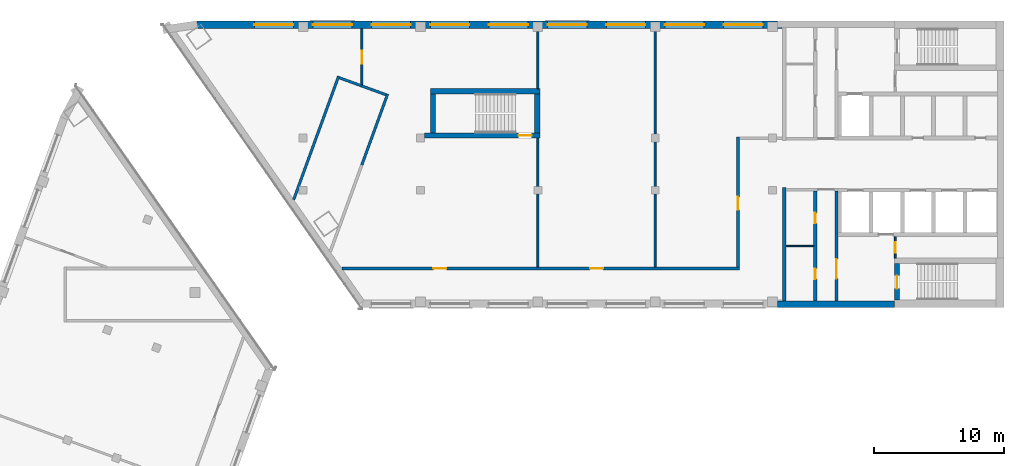
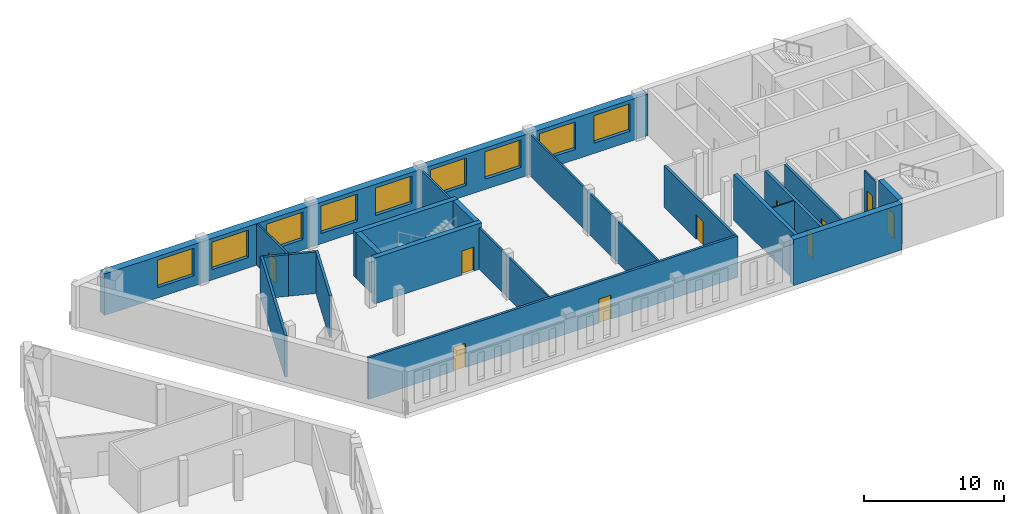
# One storey, part 4 of 7: 22 walls, 10 doors, 9 windows, 19 openings.
"""IFC4 building model written with IfcOpenShell, lengths in metres."""

from ifc_helpers import new_model, si_unit, direction, frame, frame_2d, origin, place, context, subcontext, project, spatial, rectangle, extrude, material, layer, layer_set, type_object, element, fill, save


model = new_model("IFC4")

# Units and contexts
model_context = context("Model", 3, precision=1e-05, world=origin(), true_north=direction((0.0, 1.0)))
body_context = subcontext(model_context, "Body", "Model", "MODEL_VIEW")
ifc_project = project(units=[si_unit("LENGTHUNIT", "METRE"), si_unit("AREAUNIT", "SQUARE_METRE"), si_unit("VOLUMEUNIT", "CUBIC_METRE"), si_unit("PLANEANGLEUNIT", "RADIAN"), si_unit("MASSUNIT", "GRAM", prefix="KILO")], contexts=[model_context])

# Site, building, storey
site_placement = place(None, origin())
site = spatial("IfcSite", under=ifc_project, at=site_placement, CompositionType="ELEMENT")
building_placement = place(site_placement, origin())
building = spatial("IfcBuilding", under=site, at=building_placement, Name="Skarvind Civic Tower", CompositionType="ELEMENT")
storey_placement = place(building_placement, frame((0.0, 0.0, 188.0)))
storey = spatial("IfcBuildingStorey", under=building, at=storey_placement, Name="L44", CompositionType="ELEMENT", Elevation=188.0)

# Wall, opening, door
ifc_material_1 = material(Name="Fire-rated masonry partition", Category="masonry")
ifc_layer_1 = layer(ifc_material_1, 0.199951171875)
ifc_layer_set_1 = layer_set([ifc_layer_1], Name="Core enclosure wall 200")
wall_type_1 = type_object("IfcWallType", Name="Core enclosure wall 200", PredefinedType="PARTITIONING", material=ifc_layer_set_1)
wall_1_placement = place(storey_placement, frame((95.14990234375, 117.5, 0.0), z_axis=(0.0, 0.0, 1.0), x_axis=(0.0, 1.0, 0.0)))
wall_1 = element("IfcWall", 1, at=wall_1_placement, inside=storey, type_object=wall_type_1, Name="Core wall C1", PredefinedType="PARTITIONING", context=body_context, shape_type="SweptSolid", body=[
    extrude(rectangle(XDim=8.449951171875, YDim=0.199951171875, at=frame_2d((4.22509765625, 0.0))), origin(), (0.0, 0.0, 1.0), 3.625),
])
opening_1_placement = place(wall_1_placement, frame((1.72509765625, 0.0, 0.0)))
opening_1 = element("IfcOpeningElement", 2, at=opening_1_placement, cuts=wall_1, Name="Opening D-L44-C1-08", PredefinedType="OPENING", context=body_context, shape_type="SweptSolid", body=[
    extrude(rectangle(XDim=1.5, YDim=2.10009765625, at=frame_2d((0.75, 1.050048828125))), frame((0.0, 0.10986328125, 0.0), z_axis=(0.0, -1.0, 0.0), x_axis=(1.0, 0.0, 0.0)), (0.0, 0.0, 1.0), 0.219970703125),
])
ifc_material_2 = material(Name="Fire-rated steel door", Category="steel")
door_type_1 = type_object("IfcDoorType", Name="Fire door 1500", OperationType="NOTDEFINED", PredefinedType="DOOR", material=ifc_material_2)
door_1_placement = place(opening_1_placement, origin())
door_1 = element("IfcDoor", 3, at=door_1_placement, inside=storey, type_object=door_type_1, Name="Fire door", OperationType="DOUBLE_DOOR_SINGLE_SWING", OverallHeight=2.10009765625, OverallWidth=1.5, PredefinedType="DOOR", context=body_context, shape_type="SweptSolid", body=[
    extrude(rectangle(XDim=1.5, YDim=2.10009765625, at=frame_2d((0.75, 1.050048828125))), frame((0.0, 0.02490234375, 0.0), z_axis=(0.0, -1.0, 0.0), x_axis=(1.0, 0.0, 0.0)), (0.0, 0.0, 1.0), 0.050048828125),
])
fill(opening_1, door_1)

# Walls
ifc_material_3 = material(Name="Fire-rated plasterboard partition")
ifc_layer_2 = layer(ifc_material_3, 0.10009765625)
ifc_layer_set_2 = layer_set([ifc_layer_2], Name="Core partition wall 100")
wall_type_2 = type_object("IfcWallType", Name="Core partition wall 100", PredefinedType="PARTITIONING", material=ifc_layer_set_2)
wall_2_placement = place(storey_placement, frame((93.39990234375, 121.719970703125, 0.0), z_axis=(0.0, 0.0, 1.0), x_axis=(-1.0, 0.0, 0.0)))
element("IfcWall", 4, at=wall_2_placement, inside=storey, type_object=wall_type_2, Name="Core wall C1", PredefinedType="PARTITIONING", context=body_context, shape_type="SweptSolid", body=[
    extrude(rectangle(XDim=2.099853515625, YDim=0.10009765625, at=frame_2d((1.0498046875, 0.0))), origin(), (0.0, 0.0, 1.0), 3.625),
])
ifc_material_4 = material(Name="Concrete C60", Category="concrete")
ifc_layer_3 = layer(ifc_material_4, 0.300048828125)
ifc_layer_set_3 = layer_set([ifc_layer_3], Name="Core wall 300 C60")
wall_type_3 = type_object("IfcWallType", Name="Core wall 300 C60", PredefinedType="SHEAR", material=ifc_layer_set_3)
wall_3_placement = place(storey_placement, frame((91.14990234375, 126.199951171875, 0.0), z_axis=(0.0, 0.0, 1.0), x_axis=(0.0, -1.0, 0.0)))
element("IfcWall", 5, at=wall_3_placement, inside=storey, type_object=wall_type_3, Name="Core wall C1 north inner face L44", PredefinedType="SHEAR", context=body_context, shape_type="SweptSolid", body=[
    extrude(rectangle(XDim=8.699951171875, YDim=0.300048828125, at=frame_2d((4.35009765625, 0.0))), origin(), (0.0, 0.0, 1.0), 4.0),
])

# Wall, opening, door
ifc_layer_4 = layer(ifc_material_4, 0.39990234375)
ifc_layer_set_4 = layer_set([ifc_layer_4], Name="Core wall 400 C60")
wall_type_4 = type_object("IfcWallType", Name="Core wall 400 C60", PredefinedType="SHEAR", material=ifc_layer_set_4)
wall_4_placement = place(storey_placement, frame((99.800048828125, 120.39990234375, 0.0), z_axis=(0.0, 0.0, 1.0), x_axis=(0.0, -1.0, 0.0)))
wall_4 = element("IfcWall", 6, at=wall_4_placement, inside=storey, type_object=wall_type_4, Name="Core wall C1 north stair end L44", PredefinedType="SHEAR", context=body_context, shape_type="SweptSolid", body=[
    extrude(rectangle(XDim=2.7998046875, YDim=0.39990234375, at=frame_2d((1.39990234375, 0.0))), origin(), (0.0, 0.0, 1.0), 4.0),
])
opening_2_placement = place(wall_4_placement, frame((0.949951171875, 0.0, 0.0)))
opening_2 = element("IfcOpeningElement", 7, at=opening_2_placement, cuts=wall_4, Name="Opening D-L44-C1-09", PredefinedType="OPENING", context=body_context, shape_type="SweptSolid", body=[
    extrude(rectangle(XDim=1.0, YDim=2.10009765625, at=frame_2d((0.5, 1.050048828125))), frame((0.0, 0.2099609375, 0.0), z_axis=(0.0, -1.0, 0.0), x_axis=(1.0, 0.0, 0.0)), (0.0, 0.0, 1.0), 0.419921875),
])
door_type_2 = type_object("IfcDoorType", Name="Fire door 1000", OperationType="NOTDEFINED", PredefinedType="DOOR", material=ifc_material_2)
door_2_placement = place(opening_2_placement, origin())
door_2 = element("IfcDoor", 8, at=door_2_placement, inside=storey, type_object=door_type_2, Name="Fire door", OperationType="SINGLE_SWING_LEFT", OverallHeight=2.10009765625, OverallWidth=1.0, PredefinedType="DOOR", context=body_context, shape_type="SweptSolid", body=[
    extrude(rectangle(XDim=1.0, YDim=2.10009765625, at=frame_2d((0.5, 1.050048828125))), frame((0.0, 0.02490234375, 0.0), z_axis=(0.0, -1.0, 0.0), x_axis=(1.0, 0.0, 0.0)), (0.0, 0.0, 1.0), 0.050048828125),
])
fill(opening_2, door_2)

wall_5_placement = place(storey_placement, frame((63.550048828125, 130.199951171875, 0.0), z_axis=(0.0, 0.0, 1.0), x_axis=(1.0, 0.0, 0.0)))
wall_5 = element("IfcWall", 9, at=wall_5_placement, inside=storey, type_object=wall_type_4, Name="Core wall CM inner L44", PredefinedType="SHEAR", context=body_context, shape_type="SweptSolid", body=[
    extrude(rectangle(XDim=8.849853515625, YDim=0.39990234375, at=frame_2d((4.4248046875, 0.0))), origin(), (0.0, 0.0, 1.0), 4.0),
])
opening_3_placement = place(wall_5_placement, frame((7.22509765625, 0.0, 0.0)))
opening_3 = element("IfcOpeningElement", 10, at=opening_3_placement, cuts=wall_5, Name="Opening D-L44-CM-01", PredefinedType="OPENING", context=body_context, shape_type="SweptSolid", body=[
    extrude(rectangle(XDim=1.0, YDim=2.10009765625, at=frame_2d((0.5, 1.050048828125))), frame((0.0, 0.2099609375, 0.0), z_axis=(0.0, -1.0, 0.0), x_axis=(1.0, 0.0, 0.0)), (0.0, 0.0, 1.0), 0.419921875),
])
door_3_placement = place(opening_3_placement, origin())
door_3 = element("IfcDoor", 11, at=door_3_placement, inside=storey, type_object=door_type_2, Name="Fire door", OperationType="SINGLE_SWING_LEFT", OverallHeight=2.10009765625, OverallWidth=1.0, PredefinedType="DOOR", context=body_context, shape_type="SweptSolid", body=[
    extrude(rectangle(XDim=1.0, YDim=2.10009765625, at=frame_2d((0.5, 1.050048828125))), frame((0.0, 0.02490234375, 0.0), z_axis=(0.0, -1.0, 0.0), x_axis=(1.0, 0.0, 0.0)), (0.0, 0.0, 1.0), 0.050048828125),
])
fill(opening_3, door_3)

# Walls
wall_6_placement = place(storey_placement, frame((64.0, 133.60009765625, 0.0), z_axis=(0.0, 0.0, 1.0), x_axis=(1.0, 0.0, 0.0)))
element("IfcWall", 12, at=wall_6_placement, inside=storey, type_object=wall_type_4, Name="Core wall CM outer L44", PredefinedType="SHEAR", context=body_context, shape_type="SweptSolid", body=[
    extrude(rectangle(XDim=8.39990234375, YDim=0.39990234375, at=frame_2d((4.199951171875, 0.0))), origin(), (0.0, 0.0, 1.0), 4.0),
])
for number, where, z_axis, x_axis, name in (
    (13, (64.199951171875, 130.39990234375, 0.0), (0.0, 0.0, 1.0), (0.0, 1.0, 0.0), "Core wall CM west L44"),
    (14, (72.199951171875, 130.39990234375, 0.0), (0.0, 0.0, 1.0), (0.0, 1.0, 0.0), "Core wall CM end L44"),
):
    element("IfcWall", number, at=place(storey_placement, frame(where, z_axis=z_axis, x_axis=x_axis)), inside=storey, type_object=wall_type_4, Name=name, PredefinedType="SHEAR", context=body_context, shape_type="SweptSolid", body=[
        extrude(rectangle(XDim=3.0, YDim=0.39990234375, at=frame_2d((1.5, 0.0))), origin(), (0.0, 0.0, 1.0), 4.0),
    ])
ifc_layer_5 = layer(ifc_material_4, 0.5)
ifc_layer_set_5 = layer_set([ifc_layer_5], Name="Core wall 500 C60")
wall_type_5 = type_object("IfcWallType", Name="Core wall 500 C60", PredefinedType="SHEAR", material=ifc_layer_set_5)
wall_7_placement = place(storey_placement, frame((99.60009765625, 117.25, 0.0), z_axis=(0.0, 0.0, 1.0), x_axis=(-1.0, 0.0, 0.0)))
element("IfcWall", 15, at=wall_7_placement, inside=storey, type_object=wall_type_5, Name="Core wall C1 north side L44", PredefinedType="SHEAR", context=body_context, shape_type="SweptSolid", body=[
    extrude(rectangle(XDim=8.97509765625, YDim=0.5, at=frame_2d((4.487548828125, 0.0))), origin(), (0.0, 0.0, 1.0), 4.0),
])
ifc_material_5 = material(Name="Fire-rated blockwork wall, plastered", Category="masonry")
ifc_layer_6 = layer(ifc_material_5, 0.199951171875)
ifc_layer_set_6 = layer_set([ifc_layer_6], Name="FIRE WALL 200 EI 60")
wall_type_6 = type_object("IfcWallType", Name="FIRE WALL 200 EI 60", PredefinedType="PARTITIONING", material=ifc_layer_set_6)
wall_8_placement = place(storey_placement, frame((53.52294921875, 125.277099609375, 0.0), z_axis=(0.0, 0.0, 1.0), x_axis=(0.341962677516, 0.93971353464, 0.0)))
element("IfcWall", 16, at=wall_8_placement, inside=storey, type_object=wall_type_6, Name="Portal partition L44 010", PredefinedType="PARTITIONING", context=body_context, shape_type="SweptSolid", body=[
    extrude(rectangle(XDim=10.0859375, YDim=0.199951171875, at=frame_2d((5.04296875, 0.0))), origin(), (0.0, 0.0, 1.0), 3.625),
])
wall_9_placement = place(storey_placement, frame((57.031982421875, 134.626953125, 0.0), z_axis=(0.0, 0.0, 1.0), x_axis=(0.939746625666, -0.341871729672, 0.0)))
element("IfcWall", 17, at=wall_9_placement, inside=storey, type_object=wall_type_6, Name="Portal partition L44 012", PredefinedType="PARTITIONING", context=body_context, shape_type="SweptSolid", body=[
    extrude(rectangle(XDim=1.828125, YDim=0.199951171875, at=frame_2d((0.9140625, 0.0))), origin(), (0.0, 0.0, 1.0), 3.625),
])

# Wall, openings, doors
wall_10_placement = place(storey_placement, frame((57.218017578125, 120.0, 0.0), z_axis=(0.0, 0.0, 1.0), x_axis=(1.0, 0.0, 0.0)))
wall_10 = element("IfcWall", 18, at=wall_10_placement, inside=storey, type_object=wall_type_6, Name="Portal partition L44 013", PredefinedType="PARTITIONING", context=body_context, shape_type="SweptSolid", body=[
    extrude(rectangle(XDim=30.48193359375, YDim=0.199951171875, at=frame_2d((15.240966796875, 0.0))), origin(), (0.0, 0.0, 1.0), 3.625),
])
opening_4_placement = place(wall_10_placement, frame((7.01806640625, 0.0, 0.0)))
opening_4 = element("IfcOpeningElement", 19, at=opening_4_placement, cuts=wall_10, Name="Opening L44-D205", PredefinedType="OPENING", context=body_context, shape_type="SweptSolid", body=[
    extrude(rectangle(XDim=1.0, YDim=2.10009765625, at=frame_2d((0.5, 1.050048828125))), frame((0.0, 0.10986328125, 0.0), z_axis=(0.0, -1.0, 0.0), x_axis=(1.0, 0.0, 0.0)), (0.0, 0.0, 1.0), 0.219970703125),
])
opening_5_placement = place(wall_10_placement, frame((19.031982421875, 0.0, 0.0)))
opening_5 = element("IfcOpeningElement", 20, at=opening_5_placement, cuts=wall_10, Name="Opening L44-D206", PredefinedType="OPENING", context=body_context, shape_type="SweptSolid", body=[
    extrude(rectangle(XDim=1.0, YDim=2.10009765625, at=frame_2d((0.5, 1.050048828125))), frame((0.0, 0.10986328125, 0.0), z_axis=(0.0, -1.0, 0.0), x_axis=(1.0, 0.0, 0.0)), (0.0, 0.0, 1.0), 0.219970703125),
])
ifc_material_6 = material(Name="Painted steel fire door leaf", Category="steel")
door_type_3 = type_object("IfcDoorType", Name="FIRE DOOR 1000X2100 STEEL", OperationType="NOTDEFINED", PredefinedType="DOOR", material=ifc_material_6)
door_4_placement = place(opening_4_placement, origin())
door_4 = element("IfcDoor", 21, at=door_4_placement, inside=storey, type_object=door_type_3, Name="FIRE DOOR", OperationType="SINGLE_SWING_LEFT", OverallHeight=2.10009765625, OverallWidth=1.0, PredefinedType="DOOR", context=body_context, shape_type="SweptSolid", body=[
    extrude(rectangle(XDim=1.0, YDim=2.10009765625, at=frame_2d((0.5, 1.050048828125))), frame((0.0, 0.02490234375, 0.0), z_axis=(0.0, -1.0, 0.0), x_axis=(1.0, 0.0, 0.0)), (0.0, 0.0, 1.0), 0.050048828125),
])
fill(opening_4, door_4)
door_5_placement = place(opening_5_placement, origin())
door_5 = element("IfcDoor", 22, at=door_5_placement, inside=storey, type_object=door_type_3, Name="FIRE DOOR", OperationType="SINGLE_SWING_RIGHT", OverallHeight=2.10009765625, OverallWidth=1.0, PredefinedType="DOOR", context=body_context, shape_type="SweptSolid", body=[
    extrude(rectangle(XDim=1.0, YDim=2.10009765625, at=frame_2d((0.5, 1.050048828125))), frame((0.0, 0.02490234375, 0.0), z_axis=(0.0, -1.0, 0.0), x_axis=(1.0, 0.0, 0.0)), (0.0, 0.0, 1.0), 0.050048828125),
])
fill(opening_5, door_5)

# Walls
wall_11_placement = place(storey_placement, frame((58.75, 127.944091796875, 0.0), z_axis=(0.0, 0.0, 1.0), x_axis=(0.342007027005, 0.939697394633, 0.0)))
element("IfcWall", 23, at=wall_11_placement, inside=storey, type_object=wall_type_6, Name="Portal partition L44 014", PredefinedType="PARTITIONING", context=body_context, shape_type="SweptSolid", body=[
    extrude(rectangle(XDim=5.792236328125, YDim=0.199951171875, at=frame_2d((2.89599609375, 0.0))), origin(), (0.0, 0.0, 1.0), 3.625),
])
wall_12_placement = place(storey_placement, frame((58.75, 134.001953125, 0.0), z_axis=(0.0, 0.0, 1.0), x_axis=(0.939594471622, -0.342289685643, 0.0)))
element("IfcWall", 24, at=wall_12_placement, inside=storey, type_object=wall_type_6, Name="Portal partition L44 016", PredefinedType="PARTITIONING", context=body_context, shape_type="SweptSolid", body=[
    extrude(rectangle(XDim=1.97216796875, YDim=0.199951171875, at=frame_2d((0.986083984375, 0.0))), origin(), (0.0, 0.0, 1.0), 3.625),
])

# Wall, opening, door
wall_13_placement = place(storey_placement, frame((87.60009765625, 120.10009765625, 0.0), z_axis=(0.0, 0.0, 1.0), x_axis=(0.0, 1.0, 0.0)))
wall_13 = element("IfcWall", 25, at=wall_13_placement, inside=storey, type_object=wall_type_6, Name="Portal partition L44 020", PredefinedType="PARTITIONING", context=body_context, shape_type="SweptSolid", body=[
    extrude(rectangle(XDim=10.0, YDim=0.199951171875, at=frame_2d((5.0, 0.0))), origin(), (0.0, 0.0, 1.0), 3.625),
])
opening_6_placement = place(wall_13_placement, frame((4.39990234375, 0.0, 0.0)))
opening_6 = element("IfcOpeningElement", 26, at=opening_6_placement, cuts=wall_13, Name="Opening L44-D207", PredefinedType="OPENING", context=body_context, shape_type="SweptSolid", body=[
    extrude(rectangle(XDim=1.0, YDim=2.10009765625, at=frame_2d((0.5, 1.050048828125))), frame((0.0, 0.10986328125, 0.0), z_axis=(0.0, -1.0, 0.0), x_axis=(1.0, 0.0, 0.0)), (0.0, 0.0, 1.0), 0.219970703125),
])
door_6_placement = place(opening_6_placement, origin())
door_6 = element("IfcDoor", 27, at=door_6_placement, inside=storey, type_object=door_type_3, Name="FIRE DOOR", OperationType="SINGLE_SWING_LEFT", OverallHeight=2.10009765625, OverallWidth=1.0, PredefinedType="DOOR", context=body_context, shape_type="SweptSolid", body=[
    extrude(rectangle(XDim=1.0, YDim=2.10009765625, at=frame_2d((0.5, 1.050048828125))), frame((0.0, 0.02490234375, 0.0), z_axis=(0.0, -1.0, 0.0), x_axis=(1.0, 0.0, 0.0)), (0.0, 0.0, 1.0), 0.050048828125),
])
fill(opening_6, door_6)

ifc_material_7 = material(Name="Plasterboard partition on steel studs", Category="steel")
ifc_layer_7 = layer(ifc_material_7, 0.14990234375)
ifc_layer_set_7 = layer_set([ifc_layer_7], Name="PARTITION 150")
wall_type_7 = type_object("IfcWallType", Name="PARTITION 150", PredefinedType="PARTITIONING", material=ifc_layer_set_7)
wall_14_placement = place(storey_placement, frame((58.75, 138.39990234375, 0.0), z_axis=(0.0, 0.0, 1.0), x_axis=(0.0, -1.0, 0.0)))
wall_14 = element("IfcWall", 28, at=wall_14_placement, inside=storey, type_object=wall_type_7, Name="Portal partition L44 015", PredefinedType="PARTITIONING", context=body_context, shape_type="SweptSolid", body=[
    extrude(rectangle(XDim=4.2919921875, YDim=0.14990234375, at=frame_2d((2.14599609375, 0.0))), origin(), (0.0, 0.0, 1.0), 3.625),
])
opening_7_placement = place(wall_14_placement, frame((1.698974609375, 0.0, 0.0)))
opening_7 = element("IfcOpeningElement", 29, at=opening_7_placement, cuts=wall_14, Name="Opening L44-D204", PredefinedType="OPENING", context=body_context, shape_type="SweptSolid", body=[
    extrude(rectangle(XDim=1.0, YDim=2.10009765625, at=frame_2d((0.5, 1.050048828125))), frame((0.0, 0.0849609375, 0.0), z_axis=(0.0, -1.0, 0.0), x_axis=(1.0, 0.0, 0.0)), (0.0, 0.0, 1.0), 0.169921875),
])
ifc_material_8 = material(Name="Timber veneer door leaf", Category="wood")
door_type_4 = type_object("IfcDoorType", Name="DOOR 1000X2100 TIMBER", OperationType="NOTDEFINED", PredefinedType="DOOR", material=ifc_material_8)
door_7_placement = place(opening_7_placement, origin())
door_7 = element("IfcDoor", 30, at=door_7_placement, inside=storey, type_object=door_type_4, Name="DOOR DOOR", OperationType="SINGLE_SWING_RIGHT", OverallHeight=2.10009765625, OverallWidth=1.0, PredefinedType="DOOR", context=body_context, shape_type="SweptSolid", body=[
    extrude(rectangle(XDim=1.0, YDim=2.10009765625, at=frame_2d((0.5, 1.050048828125))), frame((0.0, 0.02490234375, 0.0), z_axis=(0.0, -1.0, 0.0), x_axis=(1.0, 0.0, 0.0)), (0.0, 0.0, 1.0), 0.050048828125),
])
fill(opening_7, door_7)

# Walls
wall_15_placement = place(storey_placement, frame((72.25, 120.10009765625, 0.0), z_axis=(0.0, 0.0, 1.0), x_axis=(0.0, 1.0, 0.0)))
element("IfcWall", 31, at=wall_15_placement, inside=storey, type_object=wall_type_7, Name="Portal partition L44 017", PredefinedType="PARTITIONING", context=body_context, shape_type="SweptSolid", body=[
    extrude(rectangle(XDim=9.89990234375, YDim=0.14990234375, at=frame_2d((4.949951171875, 0.0))), origin(), (0.0, 0.0, 1.0), 3.625),
])
wall_16_placement = place(storey_placement, frame((72.25, 133.800048828125, 0.0), z_axis=(0.0, 0.0, 1.0), x_axis=(0.0, 1.0, 0.0)))
element("IfcWall", 32, at=wall_16_placement, inside=storey, type_object=wall_type_7, Name="Portal partition L44 018", PredefinedType="PARTITIONING", context=body_context, shape_type="SweptSolid", body=[
    extrude(rectangle(XDim=4.599853515625, YDim=0.14990234375, at=frame_2d((2.2998046875, 0.0))), origin(), (0.0, 0.0, 1.0), 3.625),
])
wall_17_placement = place(storey_placement, frame((81.25, 120.10009765625, 0.0), z_axis=(0.0, 0.0, 1.0), x_axis=(0.0, 1.0, 0.0)))
element("IfcWall", 33, at=wall_17_placement, inside=storey, type_object=wall_type_7, Name="Portal partition L44 019", PredefinedType="PARTITIONING", context=body_context, shape_type="SweptSolid", body=[
    extrude(rectangle(XDim=18.2998046875, YDim=0.14990234375, at=frame_2d((9.14990234375, 0.0))), origin(), (0.0, 0.0, 1.0), 3.625),
])

# Wall, opening, door
ifc_layer_8 = layer(ifc_material_1, 0.125)
ifc_layer_set_8 = layer_set([ifc_layer_8], Name="Riser wall 125")
wall_type_8 = type_object("IfcWallType", Name="Riser wall 125", PredefinedType="PARTITIONING", material=ifc_layer_set_8)
wall_18_placement = place(storey_placement, frame((99.66259765625, 120.800048828125, 0.0), z_axis=(0.0, 0.0, 1.0), x_axis=(0.0, 1.0, 0.0)))
wall_18 = element("IfcWall", 34, at=wall_18_placement, inside=storey, type_object=wall_type_8, Name="Core wall C1", PredefinedType="PARTITIONING", context=body_context, shape_type="SweptSolid", body=[
    extrude(rectangle(XDim=1.64990234375, YDim=0.125, at=frame_2d((0.824951171875, 0.0))), origin(), (0.0, 0.0, 1.0), 3.625),
])
opening_8_placement = place(wall_18_placement, frame((0.425048828125, 0.0, 0.0)))
opening_8 = element("IfcOpeningElement", 35, at=opening_8_placement, cuts=wall_18, Name="Opening D-L44-C1-10", PredefinedType="OPENING", context=body_context, shape_type="SweptSolid", body=[
    extrude(rectangle(XDim=0.800048828125, YDim=2.10009765625, at=frame_2d((0.39990234375, 1.050048828125))), frame((0.0, 0.072509765625, 0.0), z_axis=(0.0, -1.0, 0.0), x_axis=(1.0, 0.0, 0.0)), (0.0, 0.0, 1.0), 0.14501953125),
])
door_type_5 = type_object("IfcDoorType", Name="Core riser door 800", OperationType="NOTDEFINED", PredefinedType="DOOR", material=ifc_material_2)
door_8_placement = place(opening_8_placement, origin())
door_8 = element("IfcDoor", 36, at=door_8_placement, inside=storey, type_object=door_type_5, Name="Riser door", OperationType="SINGLE_SWING_RIGHT", OverallHeight=2.10009765625, OverallWidth=0.800048828125, PredefinedType="DOOR", context=body_context, shape_type="SweptSolid", body=[
    extrude(rectangle(XDim=0.800048828125, YDim=2.10009765625, at=frame_2d((0.39990234375, 1.050048828125))), frame((0.0, 0.02490234375, 0.0), z_axis=(0.0, -1.0, 0.0), x_axis=(1.0, 0.0, 0.0)), (0.0, 0.0, 1.0), 0.050048828125),
])
fill(opening_8, door_8)

# Wall, openings, doors
ifc_layer_9 = layer(ifc_material_1, 0.25)
ifc_layer_set_9 = layer_set([ifc_layer_9], Name="Service block wall 250")
wall_type_9 = type_object("IfcWallType", Name="Service block wall 250", PredefinedType="PARTITIONING", material=ifc_layer_set_9)
wall_19_placement = place(storey_placement, frame((93.52490234375, 117.5, 0.0), z_axis=(0.0, 0.0, 1.0), x_axis=(0.0, 1.0, 0.0)))
wall_19 = element("IfcWall", 37, at=wall_19_placement, inside=storey, type_object=wall_type_9, Name="Core wall C1", PredefinedType="PARTITIONING", context=body_context, shape_type="SweptSolid", body=[
    extrude(rectangle(XDim=8.449951171875, YDim=0.25, at=frame_2d((4.22509765625, 0.0))), origin(), (0.0, 0.0, 1.0), 3.625),
])
opening_9_placement = place(wall_19_placement, frame((5.9599609375, 0.0, 0.0)))
opening_9 = element("IfcOpeningElement", 38, at=opening_9_placement, cuts=wall_19, Name="Opening D-L44-C1-11", PredefinedType="OPENING", context=body_context, shape_type="SweptSolid", body=[
    extrude(rectangle(XDim=0.800048828125, YDim=2.10009765625, at=frame_2d((0.39990234375, 1.050048828125))), frame((0.0, 0.135009765625, 0.0), z_axis=(0.0, -1.0, 0.0), x_axis=(1.0, 0.0, 0.0)), (0.0, 0.0, 1.0), 0.27001953125),
])
opening_10_placement = place(wall_19_placement, frame((1.68505859375, 0.0, 0.0)))
opening_10 = element("IfcOpeningElement", 39, at=opening_10_placement, cuts=wall_19, Name="Opening D-L44-C1-12", PredefinedType="OPENING", context=body_context, shape_type="SweptSolid", body=[
    extrude(rectangle(XDim=0.800048828125, YDim=2.10009765625, at=frame_2d((0.39990234375, 1.050048828125))), frame((0.0, 0.135009765625, 0.0), z_axis=(0.0, -1.0, 0.0), x_axis=(1.0, 0.0, 0.0)), (0.0, 0.0, 1.0), 0.27001953125),
])
door_9_placement = place(opening_9_placement, origin())
door_9 = element("IfcDoor", 40, at=door_9_placement, inside=storey, type_object=door_type_5, Name="Riser door", OperationType="SINGLE_SWING_LEFT", OverallHeight=2.10009765625, OverallWidth=0.800048828125, PredefinedType="DOOR", context=body_context, shape_type="SweptSolid", body=[
    extrude(rectangle(XDim=0.800048828125, YDim=2.10009765625, at=frame_2d((0.39990234375, 1.050048828125))), frame((0.0, 0.02490234375, 0.0), z_axis=(0.0, -1.0, 0.0), x_axis=(1.0, 0.0, 0.0)), (0.0, 0.0, 1.0), 0.050048828125),
])
fill(opening_9, door_9)
door_10_placement = place(opening_10_placement, origin())
door_10 = element("IfcDoor", 41, at=door_10_placement, inside=storey, type_object=door_type_5, Name="Riser door", OperationType="SINGLE_SWING_RIGHT", OverallHeight=2.10009765625, OverallWidth=0.800048828125, PredefinedType="DOOR", context=body_context, shape_type="SweptSolid", body=[
    extrude(rectangle(XDim=0.800048828125, YDim=2.10009765625, at=frame_2d((0.39990234375, 1.050048828125))), frame((0.0, 0.02490234375, 0.0), z_axis=(0.0, -1.0, 0.0), x_axis=(1.0, 0.0, 0.0)), (0.0, 0.0, 1.0), 0.050048828125),
])
fill(opening_10, door_10)

# Wall, openings, windows
ifc_material_9 = material(Name="Limestone masonry cladding on insulated backing", Category="masonry")
ifc_layer_10 = layer(ifc_material_9, 0.60009765625)
ifc_layer_set_10 = layer_set([ifc_layer_10], Name="WX1 STONE FACADE WALL 600")
wall_type_10 = type_object("IfcWallType", Name="WX1 STONE FACADE WALL 600", PredefinedType="SOLIDWALL", material=ifc_layer_set_10)
wall_20_placement = place(storey_placement, frame((46.095458984375, 138.699951171875, 0.0), z_axis=(0.0, 0.0, 1.0), x_axis=(1.0, 0.0, 0.0)))
wall_20 = element("IfcWall", 42, at=wall_20_placement, inside=storey, type_object=wall_type_10, Name="STONE FACADE WALL", PredefinedType="SOLIDWALL", context=body_context, shape_type="SweptSolid", body=[
    extrude(rectangle(XDim=44.884521484375, YDim=0.60009765625, at=frame_2d((22.4423828125, 0.0))), origin(), (0.0, 0.0, 1.0), 3.625),
])
opening_11_placement = place(wall_20_placement, frame((4.404541015625, 0.0, 0.89990234375)))
opening_11 = element("IfcOpeningElement", 43, at=opening_11_placement, cuts=wall_20, Name="Opening WN1", PredefinedType="OPENING", context=body_context, shape_type="SweptSolid", body=[
    extrude(rectangle(XDim=3.0, YDim=2.39990234375, at=frame_2d((1.5, 1.199951171875))), frame((0.0, 0.31005859375, 0.0), z_axis=(0.0, -1.0, 0.0), x_axis=(1.0, 0.0, 0.0)), (0.0, 0.0, 1.0), 0.6201171875),
])
opening_12_placement = place(wall_20_placement, frame((8.904541015625, 0.0, 0.89990234375)))
opening_12 = element("IfcOpeningElement", 44, at=opening_12_placement, cuts=wall_20, Name="Opening WN1", PredefinedType="OPENING", context=body_context, shape_type="SweptSolid", body=[
    extrude(rectangle(XDim=3.0, YDim=2.39990234375, at=frame_2d((1.5, 1.199951171875))), frame((0.0, 0.31005859375, 0.0), z_axis=(0.0, -1.0, 0.0), x_axis=(1.0, 0.0, 0.0)), (0.0, 0.0, 1.0), 0.6201171875),
])
opening_13_placement = place(wall_20_placement, frame((13.404541015625, 0.0, 0.89990234375)))
opening_13 = element("IfcOpeningElement", 45, at=opening_13_placement, cuts=wall_20, Name="Opening WN1", PredefinedType="OPENING", context=body_context, shape_type="SweptSolid", body=[
    extrude(rectangle(XDim=3.0, YDim=2.39990234375, at=frame_2d((1.5, 1.199951171875))), frame((0.0, 0.31005859375, 0.0), z_axis=(0.0, -1.0, 0.0), x_axis=(1.0, 0.0, 0.0)), (0.0, 0.0, 1.0), 0.6201171875),
])
opening_14_placement = place(wall_20_placement, frame((17.904541015625, 0.0, 0.89990234375)))
opening_14 = element("IfcOpeningElement", 46, at=opening_14_placement, cuts=wall_20, Name="Opening WN1", PredefinedType="OPENING", context=body_context, shape_type="SweptSolid", body=[
    extrude(rectangle(XDim=3.0, YDim=2.39990234375, at=frame_2d((1.5, 1.199951171875))), frame((0.0, 0.31005859375, 0.0), z_axis=(0.0, -1.0, 0.0), x_axis=(1.0, 0.0, 0.0)), (0.0, 0.0, 1.0), 0.6201171875),
])
opening_15_placement = place(wall_20_placement, frame((22.404541015625, 0.0, 0.89990234375)))
opening_15 = element("IfcOpeningElement", 47, at=opening_15_placement, cuts=wall_20, Name="Opening WN1", PredefinedType="OPENING", context=body_context, shape_type="SweptSolid", body=[
    extrude(rectangle(XDim=3.0, YDim=2.39990234375, at=frame_2d((1.5, 1.199951171875))), frame((0.0, 0.31005859375, 0.0), z_axis=(0.0, -1.0, 0.0), x_axis=(1.0, 0.0, 0.0)), (0.0, 0.0, 1.0), 0.6201171875),
])
opening_16_placement = place(wall_20_placement, frame((26.904541015625, 0.0, 0.89990234375)))
opening_16 = element("IfcOpeningElement", 48, at=opening_16_placement, cuts=wall_20, Name="Opening WN1", PredefinedType="OPENING", context=body_context, shape_type="SweptSolid", body=[
    extrude(rectangle(XDim=3.0, YDim=2.39990234375, at=frame_2d((1.5, 1.199951171875))), frame((0.0, 0.31005859375, 0.0), z_axis=(0.0, -1.0, 0.0), x_axis=(1.0, 0.0, 0.0)), (0.0, 0.0, 1.0), 0.6201171875),
])
opening_17_placement = place(wall_20_placement, frame((31.404541015625, 0.0, 0.89990234375)))
opening_17 = element("IfcOpeningElement", 49, at=opening_17_placement, cuts=wall_20, Name="Opening WN1", PredefinedType="OPENING", context=body_context, shape_type="SweptSolid", body=[
    extrude(rectangle(XDim=3.0, YDim=2.39990234375, at=frame_2d((1.5, 1.199951171875))), frame((0.0, 0.31005859375, 0.0), z_axis=(0.0, -1.0, 0.0), x_axis=(1.0, 0.0, 0.0)), (0.0, 0.0, 1.0), 0.6201171875),
])
opening_18_placement = place(wall_20_placement, frame((35.904541015625, 0.0, 0.89990234375)))
opening_18 = element("IfcOpeningElement", 50, at=opening_18_placement, cuts=wall_20, Name="Opening WN1", PredefinedType="OPENING", context=body_context, shape_type="SweptSolid", body=[
    extrude(rectangle(XDim=3.0, YDim=2.39990234375, at=frame_2d((1.5, 1.199951171875))), frame((0.0, 0.31005859375, 0.0), z_axis=(0.0, -1.0, 0.0), x_axis=(1.0, 0.0, 0.0)), (0.0, 0.0, 1.0), 0.6201171875),
])
opening_19_placement = place(wall_20_placement, frame((40.404541015625, 0.0, 0.89990234375)))
opening_19 = element("IfcOpeningElement", 51, at=opening_19_placement, cuts=wall_20, Name="Opening WN1", PredefinedType="OPENING", context=body_context, shape_type="SweptSolid", body=[
    extrude(rectangle(XDim=3.0, YDim=2.39990234375, at=frame_2d((1.5, 1.199951171875))), frame((0.0, 0.31005859375, 0.0), z_axis=(0.0, -1.0, 0.0), x_axis=(1.0, 0.0, 0.0)), (0.0, 0.0, 1.0), 0.6201171875),
])
ifc_material_10 = material(Name="Timber frame, double glazing, timber-lined reveal", Category="wood")
window_type = type_object("IfcWindowType", Name="WN1 PUNCHED STONE WINDOW 3000 x 2400", PartitioningType="SINGLE_PANEL", PredefinedType="WINDOW", material=ifc_material_10)
window_1_placement = place(opening_11_placement, origin())
window_1 = element("IfcWindow", 52, at=window_1_placement, inside=storey, type_object=window_type, Name="WN1 WINDOW", OverallHeight=2.39990234375, OverallWidth=3.0, PartitioningType="SINGLE_PANEL", PredefinedType="WINDOW", context=body_context, shape_type="SweptSolid", body=[
    extrude(rectangle(XDim=3.0, YDim=2.39990234375, at=frame_2d((1.5, 1.199951171875))), frame((0.0, 0.030029296875, 0.0), z_axis=(0.0, -1.0, 0.0), x_axis=(1.0, 0.0, 0.0)), (0.0, 0.0, 1.0), 0.06005859375),
])
fill(opening_11, window_1)
window_2_placement = place(opening_12_placement, origin())
window_2 = element("IfcWindow", 53, at=window_2_placement, inside=storey, type_object=window_type, Name="WN1 WINDOW", OverallHeight=2.39990234375, OverallWidth=3.0, PartitioningType="SINGLE_PANEL", PredefinedType="WINDOW", context=body_context, shape_type="SweptSolid", body=[
    extrude(rectangle(XDim=3.0, YDim=2.39990234375, at=frame_2d((1.5, 1.199951171875))), frame((0.0, 0.030029296875, 0.0), z_axis=(0.0, -1.0, 0.0), x_axis=(1.0, 0.0, 0.0)), (0.0, 0.0, 1.0), 0.06005859375),
])
fill(opening_12, window_2)
window_3_placement = place(opening_13_placement, origin())
window_3 = element("IfcWindow", 54, at=window_3_placement, inside=storey, type_object=window_type, Name="WN1 WINDOW", OverallHeight=2.39990234375, OverallWidth=3.0, PartitioningType="SINGLE_PANEL", PredefinedType="WINDOW", context=body_context, shape_type="SweptSolid", body=[
    extrude(rectangle(XDim=3.0, YDim=2.39990234375, at=frame_2d((1.5, 1.199951171875))), frame((0.0, 0.030029296875, 0.0), z_axis=(0.0, -1.0, 0.0), x_axis=(1.0, 0.0, 0.0)), (0.0, 0.0, 1.0), 0.06005859375),
])
fill(opening_13, window_3)
window_4_placement = place(opening_14_placement, origin())
window_4 = element("IfcWindow", 55, at=window_4_placement, inside=storey, type_object=window_type, Name="WN1 WINDOW", OverallHeight=2.39990234375, OverallWidth=3.0, PartitioningType="SINGLE_PANEL", PredefinedType="WINDOW", context=body_context, shape_type="SweptSolid", body=[
    extrude(rectangle(XDim=3.0, YDim=2.39990234375, at=frame_2d((1.5, 1.199951171875))), frame((0.0, 0.030029296875, 0.0), z_axis=(0.0, -1.0, 0.0), x_axis=(1.0, 0.0, 0.0)), (0.0, 0.0, 1.0), 0.06005859375),
])
fill(opening_14, window_4)
window_5_placement = place(opening_15_placement, origin())
window_5 = element("IfcWindow", 56, at=window_5_placement, inside=storey, type_object=window_type, Name="WN1 WINDOW", OverallHeight=2.39990234375, OverallWidth=3.0, PartitioningType="SINGLE_PANEL", PredefinedType="WINDOW", context=body_context, shape_type="SweptSolid", body=[
    extrude(rectangle(XDim=3.0, YDim=2.39990234375, at=frame_2d((1.5, 1.199951171875))), frame((0.0, 0.030029296875, 0.0), z_axis=(0.0, -1.0, 0.0), x_axis=(1.0, 0.0, 0.0)), (0.0, 0.0, 1.0), 0.06005859375),
])
fill(opening_15, window_5)
window_6_placement = place(opening_16_placement, origin())
window_6 = element("IfcWindow", 57, at=window_6_placement, inside=storey, type_object=window_type, Name="WN1 WINDOW", OverallHeight=2.39990234375, OverallWidth=3.0, PartitioningType="SINGLE_PANEL", PredefinedType="WINDOW", context=body_context, shape_type="SweptSolid", body=[
    extrude(rectangle(XDim=3.0, YDim=2.39990234375, at=frame_2d((1.5, 1.199951171875))), frame((0.0, 0.030029296875, 0.0), z_axis=(0.0, -1.0, 0.0), x_axis=(1.0, 0.0, 0.0)), (0.0, 0.0, 1.0), 0.06005859375),
])
fill(opening_16, window_6)
window_7_placement = place(opening_17_placement, origin())
window_7 = element("IfcWindow", 58, at=window_7_placement, inside=storey, type_object=window_type, Name="WN1 WINDOW", OverallHeight=2.39990234375, OverallWidth=3.0, PartitioningType="SINGLE_PANEL", PredefinedType="WINDOW", context=body_context, shape_type="SweptSolid", body=[
    extrude(rectangle(XDim=3.0, YDim=2.39990234375, at=frame_2d((1.5, 1.199951171875))), frame((0.0, 0.030029296875, 0.0), z_axis=(0.0, -1.0, 0.0), x_axis=(1.0, 0.0, 0.0)), (0.0, 0.0, 1.0), 0.06005859375),
])
fill(opening_17, window_7)
window_8_placement = place(opening_18_placement, origin())
window_8 = element("IfcWindow", 59, at=window_8_placement, inside=storey, type_object=window_type, Name="WN1 WINDOW", OverallHeight=2.39990234375, OverallWidth=3.0, PartitioningType="SINGLE_PANEL", PredefinedType="WINDOW", context=body_context, shape_type="SweptSolid", body=[
    extrude(rectangle(XDim=3.0, YDim=2.39990234375, at=frame_2d((1.5, 1.199951171875))), frame((0.0, 0.030029296875, 0.0), z_axis=(0.0, -1.0, 0.0), x_axis=(1.0, 0.0, 0.0)), (0.0, 0.0, 1.0), 0.06005859375),
])
fill(opening_18, window_8)
window_9_placement = place(opening_19_placement, origin())
window_9 = element("IfcWindow", 60, at=window_9_placement, inside=storey, type_object=window_type, Name="WN1 WINDOW", OverallHeight=2.39990234375, OverallWidth=3.0, PartitioningType="SINGLE_PANEL", PredefinedType="WINDOW", context=body_context, shape_type="SweptSolid", body=[
    extrude(rectangle(XDim=3.0, YDim=2.39990234375, at=frame_2d((1.5, 1.199951171875))), frame((0.0, 0.030029296875, 0.0), z_axis=(0.0, -1.0, 0.0), x_axis=(1.0, 0.0, 0.0)), (0.0, 0.0, 1.0), 0.06005859375),
])
fill(opening_19, window_9)

save(model, "model.ifc")
